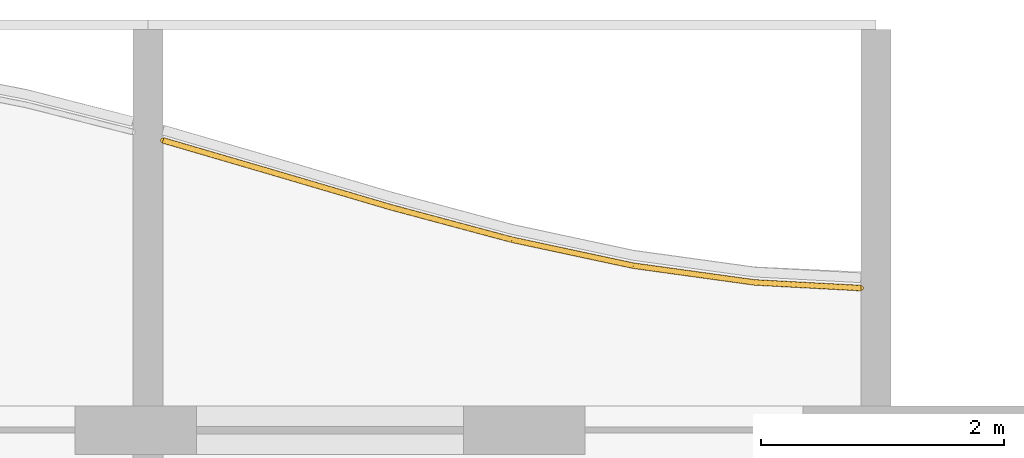
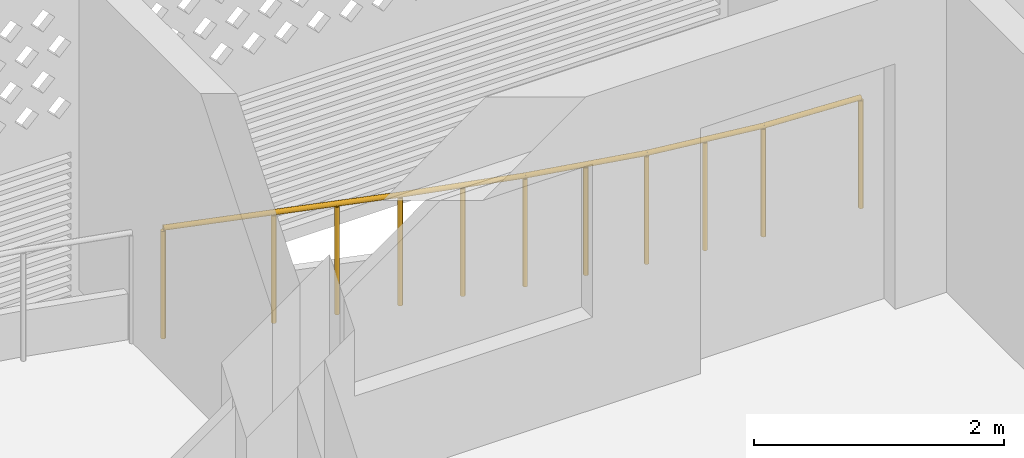
# One storey, part 26 of 27: 1 railing.
"""IFC4 building model written with IfcOpenShell, lengths in metres."""

from ifc_helpers import new_model, si_unit, direction, frame, origin, origin_2d, place, context, subcontext, project, spatial, circle, extrude, material, type_object, element, save


model = new_model("IFC4")

# Units and contexts
model_context = context("Model", 3, precision=1e-05, world=origin(), true_north=direction((0.0, 1.0)))
body_context = subcontext(model_context, "Body", "Model", "MODEL_VIEW")
ifc_project = project(units=[si_unit("LENGTHUNIT", "METRE"), si_unit("AREAUNIT", "SQUARE_METRE"), si_unit("VOLUMEUNIT", "CUBIC_METRE"), si_unit("PLANEANGLEUNIT", "RADIAN"), si_unit("MASSUNIT", "GRAM", prefix="KILO")], contexts=[model_context])

# Site, building, storey
site_placement = place(None, origin())
site = spatial("IfcSite", under=ifc_project, at=site_placement, CompositionType="ELEMENT")
building_placement = place(site_placement, origin())
building = spatial("IfcBuilding", under=site, at=building_placement, Name="Poui Terraces", CompositionType="ELEMENT")
storey_placement = place(building_placement, frame((0.0, 0.0, 251.10009765625)))
storey = spatial("IfcBuildingStorey", under=building, at=storey_placement, Name="L70", CompositionType="ELEMENT", Elevation=251.10009765625)

# Railing
ifc_material = material(Name="Painted steel fretwork", Category="steel")
railing_type = type_object("IfcRailingType", Name="BALCONY GUARD 1100", PredefinedType="GUARDRAIL", material=ifc_material)
railing_placement = place(storey_placement, frame((72.125, 43.587890625, 0.0)))
element("IfcRailing", 1, at=railing_placement, inside=storey, type_object=railing_type, Name="BALCONY GUARD", PredefinedType="GUARDRAIL", context=body_context, shape_type="SweptSolid", body=[
    extrude(circle(Radius=0.02392578125, at=origin_2d()), frame((0.0, 0.0, 1.076171875), z_axis=(0.959879926868, -0.280411351404, 0.0), x_axis=(0.280411351404, 0.959879926868, 0.0)), (0.0, 0.0, 1.0), 0.91162109375),
    extrude(circle(Radius=0.02392578125, at=origin_2d()), frame((0.875, -0.255615234375, 1.076171875), z_axis=(0.959219941058, -0.282660758998, 0.0), x_axis=(0.282660758998, 0.959219941058, 0.0)), (0.0, 0.0, 1.0), 1.04248046875),
    extrude(circle(Radius=0.02392578125, at=origin_2d()), frame((1.875, -0.55029296875, 1.076171875), z_axis=(0.965897516379, -0.258924676022, 0.0), x_axis=(0.258924676022, 0.965897516379, 0.0)), (0.0, 0.0, 1.0), 1.035400390625),
    extrude(circle(Radius=0.02392578125, at=origin_2d()), frame((2.875, -0.818359375, 1.076171875), z_axis=(0.977837336556, -0.20936605082, 0.0), x_axis=(0.20936605082, 0.977837336556, 0.0)), (0.0, 0.0, 1.0), 1.022705078125),
    extrude(circle(Radius=0.02392578125, at=origin_2d()), frame((3.875, -1.032470703125, 1.076171875), z_axis=(0.990620000385, -0.136645581108, 0.0), x_axis=(0.136645581108, 0.990620000385, 0.0)), (0.0, 0.0, 1.0), 1.009521484375),
    extrude(circle(Radius=0.02392578125, at=origin_2d()), frame((4.875, -1.17041015625, 1.076171875), z_axis=(0.998582977112, -0.053216894149, 0.0), x_axis=(0.053216894149, 0.998582977112, 0.0)), (0.0, 0.0, 1.0), 0.876220703125),
    extrude(circle(Radius=0.02099609375, at=origin_2d()), origin(), (0.0, 0.0, 1.0), 1.052001953125),
    extrude(circle(Radius=0.02099609375, at=origin_2d()), frame((0.875, -0.255615234375, 0.0)), (0.0, 0.0, 1.0), 1.052001953125),
    extrude(circle(Radius=0.02099609375, at=origin_2d()), frame((1.375, -0.40283203125, 0.0)), (0.0, 0.0, 1.0), 1.052001953125),
    extrude(circle(Radius=0.02099609375, at=origin_2d()), frame((1.875, -0.55029296875, 0.0)), (0.0, 0.0, 1.0), 1.052001953125),
    extrude(circle(Radius=0.02099609375, at=origin_2d()), frame((2.375, -0.684326171875, 0.0)), (0.0, 0.0, 1.0), 1.052001953125),
    extrude(circle(Radius=0.02099609375, at=origin_2d()), frame((2.875, -0.818359375, 0.0)), (0.0, 0.0, 1.0), 1.052001953125),
    extrude(circle(Radius=0.02099609375, at=origin_2d()), frame((3.375, -0.92529296875, 0.0)), (0.0, 0.0, 1.0), 1.052001953125),
    extrude(circle(Radius=0.02099609375, at=origin_2d()), frame((3.875, -1.032470703125, 0.0)), (0.0, 0.0, 1.0), 1.052001953125),
    extrude(circle(Radius=0.02099609375, at=origin_2d()), frame((4.375, -1.1015625, 0.0)), (0.0, 0.0, 1.0), 1.052001953125),
    extrude(circle(Radius=0.02099609375, at=origin_2d()), frame((4.875, -1.17041015625, 0.0)), (0.0, 0.0, 1.0), 1.052001953125),
    extrude(circle(Radius=0.02099609375, at=origin_2d()), frame((5.75, -1.217041015625, 0.0)), (0.0, 0.0, 1.0), 1.052001953125),
])

save(model, "model.ifc")
